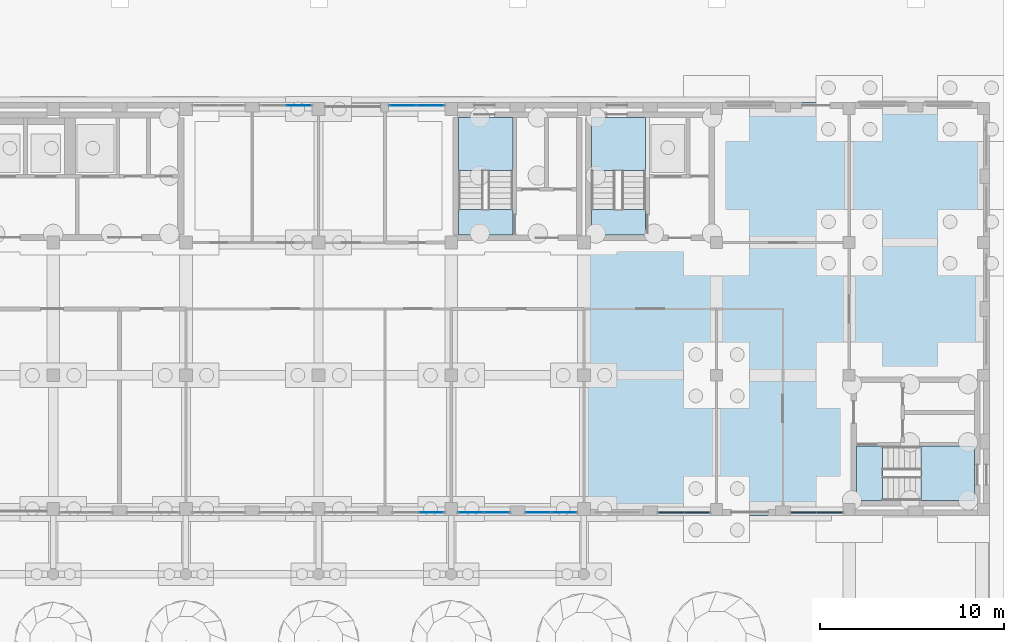
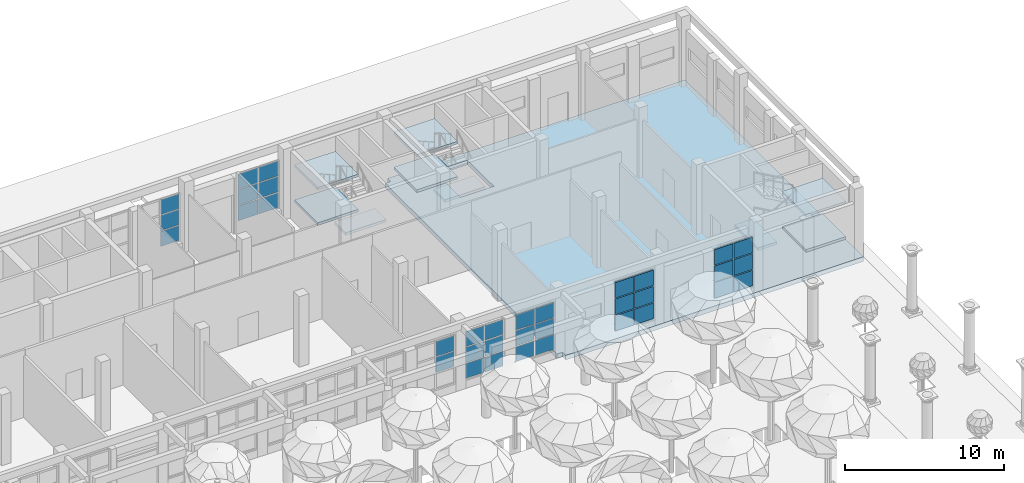
# One storey, part 39 of 80: 35 plates, 10 slabs, 10 elements without a shape of their own.
"""IFC4 building model written with IfcOpenShell, lengths in metres."""

import ifcopenshell
import ifcopenshell.guid

model = None  # the IFC model being written
_history = None  # IfcOwnerHistory: only IFC2X3 demands one
_inside = {}  # id of a spatial element -> (the spatial element, [elements in it])
_under = {}  # id of a project, library or spatial element -> (it, [spatial elements below it])
_declared = {}  # id of a project -> (the project, [libraries it declares])
_typed = {}  # id of a type object -> (the type object, [elements of that type])
_made_of = {}  # id of a material, layer set ... -> (it, [elements and type objects made of it])


def new_model(schema):
    """Start an empty IFC model of exactly this schema.

    Asked for "IFC4X3", IfcOpenShell would pick the latest addendum, in which some entities
    have other attributes; the version numbers below select the first issue.
    IFC2X3 requires an IfcOwnerHistory on every rooted entity: one is made here for all.
    """
    global model, _history
    if schema == "IFC4X3":
        model = ifcopenshell.file(schema_version=(4, 3, 0, 0))
    else:
        model = ifcopenshell.file(schema=schema)
    _inside.clear()
    _under.clear()
    _declared.clear()
    _typed.clear()
    _made_of.clear()
    _history = None
    if model.schema == "IFC2X3":
        org = make("IfcOrganization", Name="unknown")
        user = make(
            "IfcPersonAndOrganization",
            ThePerson=make("IfcPerson", FamilyName="unknown"),
            TheOrganization=org,
        )
        app = make(
            "IfcApplication",
            ApplicationDeveloper=org,
            Version="unknown",
            ApplicationFullName="unknown",
            ApplicationIdentifier="unknown",
        )
        _history = make(
            "IfcOwnerHistory",
            OwningUser=user,
            OwningApplication=app,
            ChangeAction="ADDED",
            CreationDate=0,
        )
    return model


def make(cls, **values):
    """One entity of the class cls with the attributes given. An attribute that is None is left unset."""
    return model.create_entity(
        cls, **{name: value for name, value in values.items() if value is not None}
    )


def rooted(cls, **values):
    """An entity with a GlobalId (a new one), such as an element, a storey or a relation."""
    return make(cls, GlobalId=ifcopenshell.guid.new(), OwnerHistory=_history, **values)


def si_unit(unit_type, name, prefix=None):
    """IfcSIUnit, for example si_unit("LENGTHUNIT", "METRE", prefix="MILLI")."""
    return make("IfcSIUnit", UnitType=unit_type, Prefix=prefix, Name=name)


def assignment(units):
    """IfcUnitAssignment: the units of a project."""
    return None if units is None else make("IfcUnitAssignment", Units=units)


def point(xyz):
    """IfcCartesianPoint."""
    return None if xyz is None else make("IfcCartesianPoint", Coordinates=xyz)


def direction(xyz):
    """IfcDirection."""
    return None if xyz is None else make("IfcDirection", DirectionRatios=xyz)


def frame(location, z_axis=None, x_axis=None):
    """IfcAxis2Placement3D, a coordinate frame: its origin and axes. An axis left out is left unset."""
    return make(
        "IfcAxis2Placement3D",
        Location=point(location),
        Axis=direction(z_axis),
        RefDirection=direction(x_axis),
    )


def frame_2d(location, x_axis=None):
    """IfcAxis2Placement2D, a coordinate frame in the plane: its origin and x axis."""
    return make(
        "IfcAxis2Placement2D", Location=point(location), RefDirection=direction(x_axis)
    )


def origin():
    """The frame at (0, 0, 0) with its axes left unset."""
    return frame((0.0, 0.0, 0.0))


def origin_2d():
    """The frame at (0, 0) in the plane with its x axis left unset."""
    return frame_2d((0.0, 0.0))


def place(relative_to, where):
    """IfcLocalPlacement: puts the frame where relative to a parent placement (None: the world)."""
    return make(
        "IfcLocalPlacement", PlacementRelTo=relative_to, RelativePlacement=where
    )


def context(
    kind, dimensions, precision=None, world=None, true_north=None, identifier=None
):
    """IfcGeometricRepresentationContext, for example the 3D "Model" context."""
    return make(
        "IfcGeometricRepresentationContext",
        ContextIdentifier=identifier,
        ContextType=kind,
        CoordinateSpaceDimension=dimensions,
        Precision=precision,
        WorldCoordinateSystem=world,
        TrueNorth=true_north,
    )


def subcontext(parent, identifier, kind, view, scale=None):
    """IfcGeometricRepresentationSubContext, for example "Body" below "Model"."""
    return make(
        "IfcGeometricRepresentationSubContext",
        ContextIdentifier=identifier,
        ContextType=kind,
        ParentContext=parent,
        TargetScale=scale,
        TargetView=view,
    )


def project(units=None, contexts=None):
    """IfcProject with its units and contexts."""
    return rooted(
        "IfcProject",
        Name="project",
        RepresentationContexts=contexts,
        UnitsInContext=assignment(units),
    )


def spatial(cls, under=None, at=None, **own):
    """A site, building, storey or space (cls), placed at a placement, below another one or the project."""
    s = rooted(cls, ObjectPlacement=at, **own)
    if under is not None:
        _under.setdefault(under.id(), (under, []))[1].append(s)
    return s


def polyline(points):
    """IfcPolyline through the points."""
    return make("IfcPolyline", Points=[point(p) for p in points])


def profile(cls, at=None, kind="AREA", **sizes):
    """A parametric profile (cls). Its sizes go by their IFC names, for example OverallWidth=200.0."""
    return make(cls, ProfileType=kind, Position=at, **sizes)


def rectangle(**sizes):
    """IfcRectangleProfileDef."""
    return profile("IfcRectangleProfileDef", **sizes)


def outline(outer, holes=None, kind="AREA"):
    """IfcArbitraryClosedProfileDef: a profile drawn as a closed curve; with holes, ...WithVoids."""
    if holes is None:
        return make("IfcArbitraryClosedProfileDef", ProfileType=kind, OuterCurve=outer)
    return make(
        "IfcArbitraryProfileDefWithVoids",
        ProfileType=kind,
        OuterCurve=outer,
        InnerCurves=holes,
    )


def extrude(swept, where, along, depth):
    """IfcExtrudedAreaSolid: the profile swept, set in the frame where, extruded along a direction by depth."""
    return make(
        "IfcExtrudedAreaSolid",
        SweptArea=swept,
        Position=where,
        ExtrudedDirection=direction(along),
        Depth=depth,
    )


def shape(context_of_items, identifier, shape_type, items):
    """IfcShapeRepresentation: the items that make up one representation, for example the "Body"."""
    return make(
        "IfcShapeRepresentation",
        ContextOfItems=context_of_items,
        RepresentationIdentifier=identifier,
        RepresentationType=shape_type,
        Items=items,
    )


def material(Name=None, Category=None):
    """IfcMaterial."""
    return make("IfcMaterial", Name=Name, Category=Category)


def layer(
    of_material, thickness, ventilated=None, Name=None, Category=None, Priority=None
):
    """IfcMaterialLayer: one layer of a wall or slab, of a material (None: an air gap)."""
    return make(
        "IfcMaterialLayer",
        Material=of_material,
        LayerThickness=thickness,
        IsVentilated=ventilated,
        Name=Name,
        Category=Category,
        Priority=Priority,
    )


def layer_set(layers, Name=None):
    """IfcMaterialLayerSet."""
    return make("IfcMaterialLayerSet", MaterialLayers=layers, LayerSetName=Name)


def made_of(thing, what):
    """Note that an element or type object is made of a material, layer set ...; save() writes the relation."""
    if what is not None:
        _made_of.setdefault(what.id(), (what, []))[1].append(thing)
    return thing


def type_object(cls, material=None, **own):
    """A type object (cls), such as IfcWallType, which elements share."""
    return made_of(rooted(cls, **own), material)


def element(
    cls,
    number,
    at=None,
    inside=None,
    cuts=None,
    type_object=None,
    material=None,
    context=None,
    identifier="Body",
    shape_type=None,
    held_by="IfcProductDefinitionShape",
    body=None,
    shapes=None,
    **own,
):
    """One element of the class cls, such as IfcWall. Its Tag is "e" and its number.

    at: its placement. inside: the storey or other place that contains it. cuts: it is an
    opening in that element (IfcRelVoidsElement). A single representation is given by context,
    identifier, shape_type and body (its items); several are given by shapes. held_by: the class
    of the entity that holds the representations. save() writes the other relations.
    """
    e = rooted(cls, Tag="e%d" % number, ObjectPlacement=at, **own)
    if body is not None:
        shapes = [shape(context, identifier, shape_type, body)]
    if shapes is not None:
        e.Representation = make(held_by, Representations=shapes)
    if inside is not None:
        _inside.setdefault(inside.id(), (inside, []))[1].append(e)
    if cuts is not None:
        rooted(
            "IfcRelVoidsElement", RelatingBuildingElement=cuts, RelatedOpeningElement=e
        )
    if type_object is not None:
        _typed.setdefault(type_object.id(), (type_object, []))[1].append(e)
    return made_of(e, material)


def aggregate(whole, parts):
    """IfcRelAggregates: a whole, such as a stair, and the parts it consists of."""
    return rooted("IfcRelAggregates", RelatingObject=whole, RelatedObjects=parts)


def save(model, path):
    """Write the relations noted so far, then the file.

    IfcRelAggregates (storeys below a building ...), IfcRelContainedInSpatialStructure (elements
    in a storey), IfcRelDefinesByType, IfcRelAssociatesMaterial and IfcRelDeclares: one each for
    every whole, place, type object, material and project.
    """
    for whole, parts in _under.values():
        aggregate(whole, parts)
    for where, things in _inside.values():
        rooted(
            "IfcRelContainedInSpatialStructure",
            RelatedElements=things,
            RelatingStructure=where,
        )
    for kind, things in _typed.values():
        rooted("IfcRelDefinesByType", RelatedObjects=things, RelatingType=kind)
    for what, things in _made_of.values():
        rooted("IfcRelAssociatesMaterial", RelatedObjects=things, RelatingMaterial=what)
    for by, libraries in _declared.values():
        rooted("IfcRelDeclares", RelatingContext=by, RelatedDefinitions=libraries)
    model.write(path)


model = new_model("IFC4")

# Units and contexts
model_context = context("Model", 3, precision=1e-05, world=origin(), true_north=direction((0.0, 1.0)))
body_context = subcontext(model_context, "Body", "Model", "MODEL_VIEW")
ifc_project = project(units=[si_unit("LENGTHUNIT", "METRE"), si_unit("AREAUNIT", "SQUARE_METRE"), si_unit("VOLUMEUNIT", "CUBIC_METRE"), si_unit("PLANEANGLEUNIT", "RADIAN"), si_unit("MASSUNIT", "GRAM", prefix="KILO")], contexts=[model_context])

# Site, building, storey
site_placement = place(None, origin())
site = spatial("IfcSite", under=ifc_project, at=site_placement, CompositionType="ELEMENT")
building_placement = place(site_placement, origin())
building = spatial("IfcBuilding", under=site, at=building_placement, Name="Ussher Court Research Institute", CompositionType="ELEMENT")
storey_placement = place(building_placement, origin())
storey = spatial("IfcBuildingStorey", under=building, at=storey_placement, Name="L00", CompositionType="ELEMENT", Elevation=0.0)

# Slab
ifc_material_1 = material(Name="Concrete C35/45", Category="concrete")
ifc_layer_1 = layer(ifc_material_1, 0.35009765625)
ifc_layer_set_1 = layer_set([ifc_layer_1], Name="Concrete C35/45")
slab_type_1 = type_object("IfcSlabType", Name="Ground slab 350", PredefinedType="BASESLAB", material=ifc_layer_set_1)
slab_1_placement = place(storey_placement, frame((0.0, 0.0, -0.35009765625)))
element("IfcSlab", 1, at=slab_1_placement, inside=storey, type_object=slab_type_1, Name="GS350 V3 L00-01", PredefinedType="BASESLAB", context=body_context, shape_type="SweptSolid", body=[
    extrude(outline(polyline([(82.60009765625, 90.39990234375), (82.199951171875, 90.39990234375), (82.199951171875, 68.800048828125), (82.60009765625, 68.800048828125), (82.60009765625, 68.39990234375), (104.199951171875, 68.39990234375), (104.199951171875, 90.800048828125), (82.60009765625, 90.800048828125), (82.60009765625, 90.39990234375)]), holes=[polyline([(87.949951171875, 90.0), (87.949951171875, 86.699951171875), (85.550048828125, 86.699951171875), (85.550048828125, 90.0), (87.949951171875, 90.0)])]), origin(), (0.0, 0.0, 1.0), 0.35009765625),
])

# Curtain wall, plates
ifc_material_2 = material(Name="Bronze anodised aluminium with insulated glass", Category="aluminium")
ifc_layer_2 = layer(ifc_material_2, 0.1201171875)
ifc_layer_set_2 = layer_set([ifc_layer_2], Name="Bronze anodised aluminium with insulated glass")
curtain_wall_type_1 = type_object("IfcCurtainWallType", Name="Curtain wall clean-room lobby glazing", PredefinedType="NOTDEFINED", material=ifc_layer_set_2)
curtain_wall_1_placement = place(storey_placement, origin())
curtain_wall_1 = element("IfcCurtainWall", 2, at=curtain_wall_1_placement, inside=storey, type_object=curtain_wall_type_1, Name="Curtain wall CW8 L00", PredefinedType="NOTDEFINED")
ifc_material_3 = material(Name="Insulated glazed unit with thermal break")
ifc_layer_3 = layer(ifc_material_3, 0.080078125)
ifc_layer_set_3 = layer_set([ifc_layer_3], Name="Insulated glazed unit with thermal break")
plate_type_1 = type_object("IfcPlateType", Name="Insulated glazing panel 80 mm", PredefinedType="CURTAIN_PANEL", material=ifc_layer_set_3)
plate_1_placement = place(storey_placement, frame((95.541259765625, 68.550048828125, 0.510009765625), z_axis=(0.0, 0.0, 1.0), x_axis=(-1.0, 0.0, 0.0)))
plate_1 = element("IfcPlate", 3, at=plate_1_placement, type_object=plate_type_1, Name="CW8 panel 1.1", PredefinedType="CURTAIN_PANEL", context=body_context, shape_type="SweptSolid", body=[
    extrude(rectangle(XDim=1.347412109375, YDim=0.080078125, at=origin_2d()), origin(), (0.0, 0.0, 1.0), 1.193359375),
])
plate_2_placement = place(storey_placement, frame((95.541259765625, 68.550048828125, 1.76318359375), z_axis=(0.0, 0.0, 1.0), x_axis=(-1.0, 0.0, 0.0)))
plate_2 = element("IfcPlate", 4, at=plate_2_placement, type_object=plate_type_1, Name="CW8 panel 1.2", PredefinedType="CURTAIN_PANEL", context=body_context, shape_type="SweptSolid", body=[
    extrude(rectangle(XDim=1.347412109375, YDim=0.080078125, at=origin_2d()), origin(), (0.0, 0.0, 1.0), 1.223388671875),
])
plate_3_placement = place(storey_placement, frame((95.541259765625, 68.550048828125, 3.046630859375), z_axis=(0.0, 0.0, 1.0), x_axis=(-1.0, 0.0, 0.0)))
plate_3 = element("IfcPlate", 5, at=plate_3_placement, type_object=plate_type_1, Name="CW8 panel 1.3", PredefinedType="CURTAIN_PANEL", context=body_context, shape_type="SweptSolid", body=[
    extrude(rectangle(XDim=1.347412109375, YDim=0.080078125, at=origin_2d()), origin(), (0.0, 0.0, 1.0), 1.193359375),
])
plate_4_placement = place(storey_placement, frame((94.1337890625, 68.550048828125, 0.510009765625), z_axis=(0.0, 0.0, 1.0), x_axis=(-1.0, 0.0, 0.0)))
plate_4 = element("IfcPlate", 6, at=plate_4_placement, type_object=plate_type_1, Name="CW8 panel 2.1", PredefinedType="CURTAIN_PANEL", context=body_context, shape_type="SweptSolid", body=[
    extrude(rectangle(XDim=1.347412109375, YDim=0.080078125, at=origin_2d()), origin(), (0.0, 0.0, 1.0), 1.193359375),
])
plate_5_placement = place(storey_placement, frame((94.1337890625, 68.550048828125, 1.76318359375), z_axis=(0.0, 0.0, 1.0), x_axis=(-1.0, 0.0, 0.0)))
plate_5 = element("IfcPlate", 7, at=plate_5_placement, type_object=plate_type_1, Name="CW8 panel 2.2", PredefinedType="CURTAIN_PANEL", context=body_context, shape_type="SweptSolid", body=[
    extrude(rectangle(XDim=1.347412109375, YDim=0.080078125, at=origin_2d()), origin(), (0.0, 0.0, 1.0), 1.223388671875),
])
plate_6_placement = place(storey_placement, frame((94.1337890625, 68.550048828125, 3.046630859375), z_axis=(0.0, 0.0, 1.0), x_axis=(-1.0, 0.0, 0.0)))
plate_6 = element("IfcPlate", 8, at=plate_6_placement, type_object=plate_type_1, Name="CW8 panel 2.3", PredefinedType="CURTAIN_PANEL", context=body_context, shape_type="SweptSolid", body=[
    extrude(rectangle(XDim=1.347412109375, YDim=0.080078125, at=origin_2d()), origin(), (0.0, 0.0, 1.0), 1.193359375),
])
aggregate(curtain_wall_1, [plate_1, plate_2, plate_3, plate_4, plate_5, plate_6])

curtain_wall_2_placement = place(storey_placement, origin())
curtain_wall_2 = element("IfcCurtainWall", 9, at=curtain_wall_2_placement, inside=storey, type_object=curtain_wall_type_1, Name="Curtain wall CW8 L00", PredefinedType="NOTDEFINED")
plate_7_placement = place(storey_placement, frame((88.34130859375, 68.550048828125, 0.510009765625), z_axis=(0.0, 0.0, 1.0), x_axis=(-1.0, 0.0, 0.0)))
plate_7 = element("IfcPlate", 10, at=plate_7_placement, type_object=plate_type_1, Name="CW8 panel 1.1", PredefinedType="CURTAIN_PANEL", context=body_context, shape_type="SweptSolid", body=[
    extrude(rectangle(XDim=1.347412109375, YDim=0.080078125, at=origin_2d()), origin(), (0.0, 0.0, 1.0), 1.193359375),
])
plate_8_placement = place(storey_placement, frame((88.34130859375, 68.550048828125, 1.76318359375), z_axis=(0.0, 0.0, 1.0), x_axis=(-1.0, 0.0, 0.0)))
plate_8 = element("IfcPlate", 11, at=plate_8_placement, type_object=plate_type_1, Name="CW8 panel 1.2", PredefinedType="CURTAIN_PANEL", context=body_context, shape_type="SweptSolid", body=[
    extrude(rectangle(XDim=1.347412109375, YDim=0.080078125, at=origin_2d()), origin(), (0.0, 0.0, 1.0), 1.223388671875),
])
plate_9_placement = place(storey_placement, frame((88.34130859375, 68.550048828125, 3.046630859375), z_axis=(0.0, 0.0, 1.0), x_axis=(-1.0, 0.0, 0.0)))
plate_9 = element("IfcPlate", 12, at=plate_9_placement, type_object=plate_type_1, Name="CW8 panel 1.3", PredefinedType="CURTAIN_PANEL", context=body_context, shape_type="SweptSolid", body=[
    extrude(rectangle(XDim=1.347412109375, YDim=0.080078125, at=origin_2d()), origin(), (0.0, 0.0, 1.0), 1.193359375),
])
plate_10_placement = place(storey_placement, frame((86.933837890625, 68.550048828125, 0.510009765625), z_axis=(0.0, 0.0, 1.0), x_axis=(-1.0, 0.0, 0.0)))
plate_10 = element("IfcPlate", 13, at=plate_10_placement, type_object=plate_type_1, Name="CW8 panel 2.1", PredefinedType="CURTAIN_PANEL", context=body_context, shape_type="SweptSolid", body=[
    extrude(rectangle(XDim=1.347412109375, YDim=0.080078125, at=origin_2d()), origin(), (0.0, 0.0, 1.0), 1.193359375),
])
plate_11_placement = place(storey_placement, frame((86.933837890625, 68.550048828125, 1.76318359375), z_axis=(0.0, 0.0, 1.0), x_axis=(-1.0, 0.0, 0.0)))
plate_11 = element("IfcPlate", 14, at=plate_11_placement, type_object=plate_type_1, Name="CW8 panel 2.2", PredefinedType="CURTAIN_PANEL", context=body_context, shape_type="SweptSolid", body=[
    extrude(rectangle(XDim=1.347412109375, YDim=0.080078125, at=origin_2d()), origin(), (0.0, 0.0, 1.0), 1.223388671875),
])
plate_12_placement = place(storey_placement, frame((86.933837890625, 68.550048828125, 3.046630859375), z_axis=(0.0, 0.0, 1.0), x_axis=(-1.0, 0.0, 0.0)))
plate_12 = element("IfcPlate", 15, at=plate_12_placement, type_object=plate_type_1, Name="CW8 panel 2.3", PredefinedType="CURTAIN_PANEL", context=body_context, shape_type="SweptSolid", body=[
    extrude(rectangle(XDim=1.347412109375, YDim=0.080078125, at=origin_2d()), origin(), (0.0, 0.0, 1.0), 1.193359375),
])
aggregate(curtain_wall_2, [plate_7, plate_8, plate_9, plate_10, plate_11, plate_12])

ifc_material_4 = material(Name="Bronze anodised aluminium with laminated safety glass", Category="aluminium")
ifc_layer_4 = layer(ifc_material_4, 0.1201171875)
ifc_layer_set_4 = layer_set([ifc_layer_4], Name="Bronze anodised aluminium with laminated safety glass")
curtain_wall_type_2 = type_object("IfcCurtainWallType", Name="Curtain wall dry laboratory base storefront", PredefinedType="NOTDEFINED", material=ifc_layer_set_4)
curtain_wall_3_placement = place(storey_placement, origin())
curtain_wall_3 = element("IfcCurtainWall", 16, at=curtain_wall_3_placement, inside=storey, type_object=curtain_wall_type_2, Name="Curtain wall CW4 L00", PredefinedType="NOTDEFINED")
ifc_material_5 = material(Name="Laminated safety glass", Category="glass")
ifc_layer_5 = layer(ifc_material_5, 0.02099609375)
ifc_layer_set_5 = layer_set([ifc_layer_5], Name="Laminated safety glass")
plate_type_2 = type_object("IfcPlateType", Name="Laminated safety glazing panel 21 mm", PredefinedType="CURTAIN_PANEL", material=ifc_layer_set_5)
plate_13_placement = place(storey_placement, frame((66.722412109375, 90.64990234375, 0.66015625), z_axis=(0.0, 0.0, 1.0), x_axis=(1.0, 0.0, 0.0)))
plate_13 = element("IfcPlate", 17, at=plate_13_placement, type_object=plate_type_2, Name="CW4 panel 2.1", PredefinedType="CURTAIN_PANEL", context=body_context, shape_type="SweptSolid", body=[
    extrude(rectangle(XDim=1.3349609375, YDim=0.02099609375, at=origin_2d()), origin(), (0.0, 0.0, 1.0), 1.143310546875),
])
plate_14_placement = place(storey_placement, frame((66.722412109375, 90.64990234375, 1.86328125), z_axis=(0.0, 0.0, 1.0), x_axis=(1.0, 0.0, 0.0)))
plate_14 = element("IfcPlate", 18, at=plate_14_placement, type_object=plate_type_2, Name="CW4 panel 2.2", PredefinedType="CURTAIN_PANEL", context=body_context, shape_type="SweptSolid", body=[
    extrude(rectangle(XDim=1.3349609375, YDim=0.02099609375, at=origin_2d()), origin(), (0.0, 0.0, 1.0), 1.17333984375),
])
plate_15_placement = place(storey_placement, frame((66.722412109375, 90.64990234375, 3.0966796875), z_axis=(0.0, 0.0, 1.0), x_axis=(1.0, 0.0, 0.0)))
plate_15 = element("IfcPlate", 19, at=plate_15_placement, type_object=plate_type_2, Name="CW4 panel 2.3", PredefinedType="CURTAIN_PANEL", context=body_context, shape_type="SweptSolid", body=[
    extrude(rectangle(XDim=1.3349609375, YDim=0.02099609375, at=origin_2d()), origin(), (0.0, 0.0, 1.0), 1.143310546875),
])
aggregate(curtain_wall_3, [plate_13, plate_14, plate_15])

curtain_wall_4_placement = place(storey_placement, origin())
curtain_wall_4 = element("IfcCurtainWall", 20, at=curtain_wall_4_placement, inside=storey, type_object=curtain_wall_type_2, Name="Curtain wall CW4 L00", PredefinedType="NOTDEFINED")
plate_16_placement = place(storey_placement, frame((72.37744140625, 90.64990234375, 0.66015625), z_axis=(0.0, 0.0, 1.0), x_axis=(1.0, 0.0, 0.0)))
plate_16 = element("IfcPlate", 21, at=plate_16_placement, type_object=plate_type_2, Name="CW4 panel 1.1", PredefinedType="CURTAIN_PANEL", context=body_context, shape_type="SweptSolid", body=[
    extrude(rectangle(XDim=1.43505859375, YDim=0.02099609375, at=origin_2d()), origin(), (0.0, 0.0, 1.0), 1.143310546875),
])
plate_17_placement = place(storey_placement, frame((72.37744140625, 90.64990234375, 1.86328125), z_axis=(0.0, 0.0, 1.0), x_axis=(1.0, 0.0, 0.0)))
plate_17 = element("IfcPlate", 22, at=plate_17_placement, type_object=plate_type_2, Name="CW4 panel 1.2", PredefinedType="CURTAIN_PANEL", context=body_context, shape_type="SweptSolid", body=[
    extrude(rectangle(XDim=1.43505859375, YDim=0.02099609375, at=origin_2d()), origin(), (0.0, 0.0, 1.0), 1.17333984375),
])
plate_18_placement = place(storey_placement, frame((72.37744140625, 90.64990234375, 3.0966796875), z_axis=(0.0, 0.0, 1.0), x_axis=(1.0, 0.0, 0.0)))
plate_18 = element("IfcPlate", 23, at=plate_18_placement, type_object=plate_type_2, Name="CW4 panel 1.3", PredefinedType="CURTAIN_PANEL", context=body_context, shape_type="SweptSolid", body=[
    extrude(rectangle(XDim=1.43505859375, YDim=0.02099609375, at=origin_2d()), origin(), (0.0, 0.0, 1.0), 1.143310546875),
])
plate_19_placement = place(storey_placement, frame((73.87255859375, 90.64990234375, 0.66015625), z_axis=(0.0, 0.0, 1.0), x_axis=(1.0, 0.0, 0.0)))
plate_19 = element("IfcPlate", 24, at=plate_19_placement, type_object=plate_type_2, Name="CW4 panel 2.1", PredefinedType="CURTAIN_PANEL", context=body_context, shape_type="SweptSolid", body=[
    extrude(rectangle(XDim=1.43505859375, YDim=0.02099609375, at=origin_2d()), origin(), (0.0, 0.0, 1.0), 1.143310546875),
])
plate_20_placement = place(storey_placement, frame((73.87255859375, 90.64990234375, 1.86328125), z_axis=(0.0, 0.0, 1.0), x_axis=(1.0, 0.0, 0.0)))
plate_20 = element("IfcPlate", 25, at=plate_20_placement, type_object=plate_type_2, Name="CW4 panel 2.2", PredefinedType="CURTAIN_PANEL", context=body_context, shape_type="SweptSolid", body=[
    extrude(rectangle(XDim=1.43505859375, YDim=0.02099609375, at=origin_2d()), origin(), (0.0, 0.0, 1.0), 1.17333984375),
])
plate_21_placement = place(storey_placement, frame((73.87255859375, 90.64990234375, 3.0966796875), z_axis=(0.0, 0.0, 1.0), x_axis=(1.0, 0.0, 0.0)))
plate_21 = element("IfcPlate", 26, at=plate_21_placement, type_object=plate_type_2, Name="CW4 panel 2.3", PredefinedType="CURTAIN_PANEL", context=body_context, shape_type="SweptSolid", body=[
    extrude(rectangle(XDim=1.43505859375, YDim=0.02099609375, at=origin_2d()), origin(), (0.0, 0.0, 1.0), 1.143310546875),
])
aggregate(curtain_wall_4, [plate_16, plate_17, plate_18, plate_19, plate_20, plate_21])

curtain_wall_5_placement = place(storey_placement, origin())
curtain_wall_5 = element("IfcCurtainWall", 27, at=curtain_wall_5_placement, inside=storey, type_object=curtain_wall_type_2, Name="Curtain wall CW4 L00", PredefinedType="NOTDEFINED")
plate_22_placement = place(storey_placement, frame((81.12255859375, 68.550048828125, 0.66015625), z_axis=(0.0, 0.0, 1.0), x_axis=(-1.0, 0.0, 0.0)))
plate_22 = element("IfcPlate", 28, at=plate_22_placement, type_object=plate_type_2, Name="CW4 panel 1.1", PredefinedType="CURTAIN_PANEL", context=body_context, shape_type="SweptSolid", body=[
    extrude(rectangle(XDim=1.3349609375, YDim=0.02099609375, at=origin_2d()), origin(), (0.0, 0.0, 1.0), 1.143310546875),
])
plate_23_placement = place(storey_placement, frame((81.12255859375, 68.550048828125, 1.86328125), z_axis=(0.0, 0.0, 1.0), x_axis=(-1.0, 0.0, 0.0)))
plate_23 = element("IfcPlate", 29, at=plate_23_placement, type_object=plate_type_2, Name="CW4 panel 1.2", PredefinedType="CURTAIN_PANEL", context=body_context, shape_type="SweptSolid", body=[
    extrude(rectangle(XDim=1.3349609375, YDim=0.02099609375, at=origin_2d()), origin(), (0.0, 0.0, 1.0), 1.17333984375),
])
plate_24_placement = place(storey_placement, frame((81.12255859375, 68.550048828125, 3.0966796875), z_axis=(0.0, 0.0, 1.0), x_axis=(-1.0, 0.0, 0.0)))
plate_24 = element("IfcPlate", 30, at=plate_24_placement, type_object=plate_type_2, Name="CW4 panel 1.3", PredefinedType="CURTAIN_PANEL", context=body_context, shape_type="SweptSolid", body=[
    extrude(rectangle(XDim=1.3349609375, YDim=0.02099609375, at=origin_2d()), origin(), (0.0, 0.0, 1.0), 1.143310546875),
])
plate_25_placement = place(storey_placement, frame((79.7275390625, 68.550048828125, 0.66015625), z_axis=(0.0, 0.0, 1.0), x_axis=(-1.0, 0.0, 0.0)))
plate_25 = element("IfcPlate", 31, at=plate_25_placement, type_object=plate_type_2, Name="CW4 panel 2.1", PredefinedType="CURTAIN_PANEL", context=body_context, shape_type="SweptSolid", body=[
    extrude(rectangle(XDim=1.3349609375, YDim=0.02099609375, at=origin_2d()), origin(), (0.0, 0.0, 1.0), 1.143310546875),
])
plate_26_placement = place(storey_placement, frame((79.7275390625, 68.550048828125, 1.86328125), z_axis=(0.0, 0.0, 1.0), x_axis=(-1.0, 0.0, 0.0)))
plate_26 = element("IfcPlate", 32, at=plate_26_placement, type_object=plate_type_2, Name="CW4 panel 2.2", PredefinedType="CURTAIN_PANEL", context=body_context, shape_type="SweptSolid", body=[
    extrude(rectangle(XDim=1.3349609375, YDim=0.02099609375, at=origin_2d()), origin(), (0.0, 0.0, 1.0), 1.17333984375),
])
plate_27_placement = place(storey_placement, frame((79.7275390625, 68.550048828125, 3.0966796875), z_axis=(0.0, 0.0, 1.0), x_axis=(-1.0, 0.0, 0.0)))
plate_27 = element("IfcPlate", 33, at=plate_27_placement, type_object=plate_type_2, Name="CW4 panel 2.3", PredefinedType="CURTAIN_PANEL", context=body_context, shape_type="SweptSolid", body=[
    extrude(rectangle(XDim=1.3349609375, YDim=0.02099609375, at=origin_2d()), origin(), (0.0, 0.0, 1.0), 1.143310546875),
])
aggregate(curtain_wall_5, [plate_22, plate_23, plate_24, plate_25, plate_26, plate_27])

curtain_wall_6_placement = place(storey_placement, origin())
curtain_wall_6 = element("IfcCurtainWall", 34, at=curtain_wall_6_placement, inside=storey, type_object=curtain_wall_type_2, Name="Curtain wall CW4 L00", PredefinedType="NOTDEFINED")
plate_28_placement = place(storey_placement, frame((77.472412109375, 68.550048828125, 0.66015625), z_axis=(0.0, 0.0, 1.0), x_axis=(-1.0, 0.0, 0.0)))
plate_28 = element("IfcPlate", 35, at=plate_28_placement, type_object=plate_type_2, Name="CW4 panel 1.1", PredefinedType="CURTAIN_PANEL", context=body_context, shape_type="SweptSolid", body=[
    extrude(rectangle(XDim=1.3349609375, YDim=0.02099609375, at=origin_2d()), origin(), (0.0, 0.0, 1.0), 1.143310546875),
])
plate_29_placement = place(storey_placement, frame((77.472412109375, 68.550048828125, 1.86328125), z_axis=(0.0, 0.0, 1.0), x_axis=(-1.0, 0.0, 0.0)))
plate_29 = element("IfcPlate", 36, at=plate_29_placement, type_object=plate_type_2, Name="CW4 panel 1.2", PredefinedType="CURTAIN_PANEL", context=body_context, shape_type="SweptSolid", body=[
    extrude(rectangle(XDim=1.3349609375, YDim=0.02099609375, at=origin_2d()), origin(), (0.0, 0.0, 1.0), 1.17333984375),
])
plate_30_placement = place(storey_placement, frame((77.472412109375, 68.550048828125, 3.0966796875), z_axis=(0.0, 0.0, 1.0), x_axis=(-1.0, 0.0, 0.0)))
plate_30 = element("IfcPlate", 37, at=plate_30_placement, type_object=plate_type_2, Name="CW4 panel 1.3", PredefinedType="CURTAIN_PANEL", context=body_context, shape_type="SweptSolid", body=[
    extrude(rectangle(XDim=1.3349609375, YDim=0.02099609375, at=origin_2d()), origin(), (0.0, 0.0, 1.0), 1.143310546875),
])
plate_31_placement = place(storey_placement, frame((76.077392578125, 68.550048828125, 0.66015625), z_axis=(0.0, 0.0, 1.0), x_axis=(-1.0, 0.0, 0.0)))
plate_31 = element("IfcPlate", 38, at=plate_31_placement, type_object=plate_type_2, Name="CW4 panel 2.1", PredefinedType="CURTAIN_PANEL", context=body_context, shape_type="SweptSolid", body=[
    extrude(rectangle(XDim=1.3349609375, YDim=0.02099609375, at=origin_2d()), origin(), (0.0, 0.0, 1.0), 1.143310546875),
])
plate_32_placement = place(storey_placement, frame((76.077392578125, 68.550048828125, 1.86328125), z_axis=(0.0, 0.0, 1.0), x_axis=(-1.0, 0.0, 0.0)))
plate_32 = element("IfcPlate", 39, at=plate_32_placement, type_object=plate_type_2, Name="CW4 panel 2.2", PredefinedType="CURTAIN_PANEL", context=body_context, shape_type="SweptSolid", body=[
    extrude(rectangle(XDim=1.3349609375, YDim=0.02099609375, at=origin_2d()), origin(), (0.0, 0.0, 1.0), 1.17333984375),
])
plate_33_placement = place(storey_placement, frame((76.077392578125, 68.550048828125, 3.0966796875), z_axis=(0.0, 0.0, 1.0), x_axis=(-1.0, 0.0, 0.0)))
plate_33 = element("IfcPlate", 40, at=plate_33_placement, type_object=plate_type_2, Name="CW4 panel 2.3", PredefinedType="CURTAIN_PANEL", context=body_context, shape_type="SweptSolid", body=[
    extrude(rectangle(XDim=1.3349609375, YDim=0.02099609375, at=origin_2d()), origin(), (0.0, 0.0, 1.0), 1.143310546875),
])
aggregate(curtain_wall_6, [plate_28, plate_29, plate_30, plate_31, plate_32, plate_33])

curtain_wall_7_placement = place(storey_placement, origin())
curtain_wall_7 = element("IfcCurtainWall", 41, at=curtain_wall_7_placement, inside=storey, type_object=curtain_wall_type_2, Name="Curtain wall CW4 L00", PredefinedType="NOTDEFINED")
plate_34_placement = place(storey_placement, frame((73.922607421875, 68.550048828125, 1.86328125), z_axis=(0.0, 0.0, 1.0), x_axis=(-1.0, 0.0, 0.0)))
plate_34 = element("IfcPlate", 42, at=plate_34_placement, type_object=plate_type_2, Name="CW4 panel 1.2", PredefinedType="CURTAIN_PANEL", context=body_context, shape_type="SweptSolid", body=[
    extrude(rectangle(XDim=1.3349609375, YDim=0.02099609375, at=origin_2d()), origin(), (0.0, 0.0, 1.0), 1.17333984375),
])
plate_35_placement = place(storey_placement, frame((73.922607421875, 68.550048828125, 3.0966796875), z_axis=(0.0, 0.0, 1.0), x_axis=(-1.0, 0.0, 0.0)))
plate_35 = element("IfcPlate", 43, at=plate_35_placement, type_object=plate_type_2, Name="CW4 panel 1.3", PredefinedType="CURTAIN_PANEL", context=body_context, shape_type="SweptSolid", body=[
    extrude(rectangle(XDim=1.3349609375, YDim=0.02099609375, at=origin_2d()), origin(), (0.0, 0.0, 1.0), 1.143310546875),
])
aggregate(curtain_wall_7, [plate_34, plate_35])

# Stair, slabs
ifc_material_6 = material(Name="Concrete C35/45", Category="concrete")
stair_type_1 = type_object("IfcStairType", Name="Core stair 32 risers 169 mm x 300 going 1300 wide", PredefinedType="HALF_TURN_STAIR", material=ifc_material_6)
stair_1_placement = place(storey_placement, origin())
stair_1 = element("IfcStair", 44, at=stair_1_placement, inside=storey, type_object=stair_type_1, Name="L00 Stair C1", PredefinedType="HALF_TURN_STAIR")
ifc_material_7 = material(Name="Concrete C35/45", Category="concrete")
ifc_layer_6 = layer(ifc_material_7, 0.199951171875)
ifc_layer_set_6 = layer_set([ifc_layer_6], Name="Concrete C35/45")
slab_type_2 = type_object("IfcSlabType", Name="Stair landing 200 RC", PredefinedType="LANDING", material=ifc_layer_set_6)
slab_2_placement = place(storey_placement, frame((0.0, 0.0, 1.14990234375)))
slab_2 = element("IfcSlab", 45, at=slab_2_placement, type_object=slab_type_2, Name="C1 landing 1", PredefinedType="LANDING", context=body_context, shape_type="SweptSolid", body=[
    extrude(outline(polyline([(85.550048828125, 87.10009765625), (85.550048828125, 90.0), (82.60009765625, 90.0), (82.60009765625, 87.10009765625), (85.550048828125, 87.10009765625)])), origin(), (0.0, 0.0, 1.0), 0.2001953125),
])
slab_3_placement = place(storey_placement, frame((0.0, 0.0, 2.5)))
slab_3 = element("IfcSlab", 46, at=slab_3_placement, type_object=slab_type_2, Name="C1 landing 2", PredefinedType="LANDING", context=body_context, shape_type="SweptSolid", body=[
    extrude(outline(polyline([(85.550048828125, 83.60009765625), (85.550048828125, 85.0), (82.60009765625, 85.0), (82.60009765625, 83.60009765625), (85.550048828125, 83.60009765625)])), origin(), (0.0, 0.0, 1.0), 0.199951171875),
])
slab_4_placement = place(storey_placement, frame((0.0, 0.0, 3.85009765625)))
slab_4 = element("IfcSlab", 47, at=slab_4_placement, type_object=slab_type_2, Name="C1 landing 3", PredefinedType="LANDING", context=body_context, shape_type="SweptSolid", body=[
    extrude(outline(polyline([(85.550048828125, 87.10009765625), (85.550048828125, 90.0), (82.60009765625, 90.0), (82.60009765625, 87.10009765625), (85.550048828125, 87.10009765625)])), origin(), (0.0, 0.0, 1.0), 0.199951171875),
])
aggregate(stair_1, [slab_2, slab_3, slab_4])

stair_2_placement = place(storey_placement, origin())
stair_2 = element("IfcStair", 48, at=stair_2_placement, inside=storey, type_object=stair_type_1, Name="L00 Stair C2", PredefinedType="HALF_TURN_STAIR")
slab_5_placement = place(storey_placement, frame((0.0, 0.0, 1.14990234375)))
slab_5 = element("IfcSlab", 49, at=slab_5_placement, type_object=slab_type_2, Name="C2 landing 1", PredefinedType="LANDING", context=body_context, shape_type="SweptSolid", body=[
    extrude(outline(polyline([(100.5, 69.199951171875), (103.39990234375, 69.199951171875), (103.39990234375, 72.14990234375), (100.5, 72.14990234375), (100.5, 69.199951171875)])), origin(), (0.0, 0.0, 1.0), 0.2001953125),
])
slab_6_placement = place(storey_placement, frame((0.0, 0.0, 2.5)))
slab_6 = element("IfcSlab", 50, at=slab_6_placement, type_object=slab_type_2, Name="C2 landing 2", PredefinedType="LANDING", context=body_context, shape_type="SweptSolid", body=[
    extrude(outline(polyline([(97.0, 69.199951171875), (98.39990234375, 69.199951171875), (98.39990234375, 72.14990234375), (97.0, 72.14990234375), (97.0, 69.199951171875)])), origin(), (0.0, 0.0, 1.0), 0.199951171875),
])
slab_7_placement = place(storey_placement, frame((0.0, 0.0, 3.85009765625)))
slab_7 = element("IfcSlab", 51, at=slab_7_placement, type_object=slab_type_2, Name="C2 landing 3", PredefinedType="LANDING", context=body_context, shape_type="SweptSolid", body=[
    extrude(outline(polyline([(100.5, 69.199951171875), (103.39990234375, 69.199951171875), (103.39990234375, 72.14990234375), (100.5, 72.14990234375), (100.5, 69.199951171875)])), origin(), (0.0, 0.0, 1.0), 0.199951171875),
])
aggregate(stair_2, [slab_5, slab_6, slab_7])

ifc_material_8 = material(Name="Concrete C35/45", Category="concrete")
stair_type_2 = type_object("IfcStairType", Name="Core stair 32 risers 169 mm x 300 going 1350 wide", PredefinedType="HALF_TURN_STAIR", material=ifc_material_8)
stair_3_placement = place(storey_placement, origin())
stair_3 = element("IfcStair", 52, at=stair_3_placement, inside=storey, type_object=stair_type_2, Name="L00 Stair D3", PredefinedType="HALF_TURN_STAIR")
ifc_material_9 = material(Name="Concrete C35/45", Category="concrete")
ifc_layer_7 = layer(ifc_material_9, 0.239990234375)
ifc_layer_set_7 = layer_set([ifc_layer_7], Name="Concrete C35/45")
slab_type_3 = type_object("IfcSlabType", Name="Stair landing 240 RC", PredefinedType="LANDING", material=ifc_layer_set_7)
slab_8_placement = place(storey_placement, frame((0.0, 0.0, 1.14990234375)))
slab_8 = element("IfcSlab", 53, at=slab_8_placement, type_object=slab_type_3, Name="D3 landing 1", PredefinedType="LANDING", context=body_context, shape_type="SweptSolid", body=[
    extrude(outline(polyline([(78.35009765625, 87.10009765625), (78.35009765625, 90.0), (75.39990234375, 90.0), (75.39990234375, 87.10009765625), (78.35009765625, 87.10009765625)])), origin(), (0.0, 0.0, 1.0), 0.2001953125),
])
slab_9_placement = place(storey_placement, frame((0.0, 0.0, 2.5)))
slab_9 = element("IfcSlab", 54, at=slab_9_placement, type_object=slab_type_3, Name="D3 landing 2", PredefinedType="LANDING", context=body_context, shape_type="SweptSolid", body=[
    extrude(outline(polyline([(78.35009765625, 83.60009765625), (78.35009765625, 85.0), (75.39990234375, 85.0), (75.39990234375, 83.60009765625), (78.35009765625, 83.60009765625)])), origin(), (0.0, 0.0, 1.0), 0.199951171875),
])
slab_10_placement = place(storey_placement, frame((0.0, 0.0, 3.85009765625)))
slab_10 = element("IfcSlab", 55, at=slab_10_placement, type_object=slab_type_3, Name="D3 landing 3", PredefinedType="LANDING", context=body_context, shape_type="SweptSolid", body=[
    extrude(outline(polyline([(78.35009765625, 87.10009765625), (78.35009765625, 90.0), (75.39990234375, 90.0), (75.39990234375, 87.10009765625), (78.35009765625, 87.10009765625)])), origin(), (0.0, 0.0, 1.0), 0.199951171875),
])
aggregate(stair_3, [slab_8, slab_9, slab_10])

save(model, "model.ifc")
